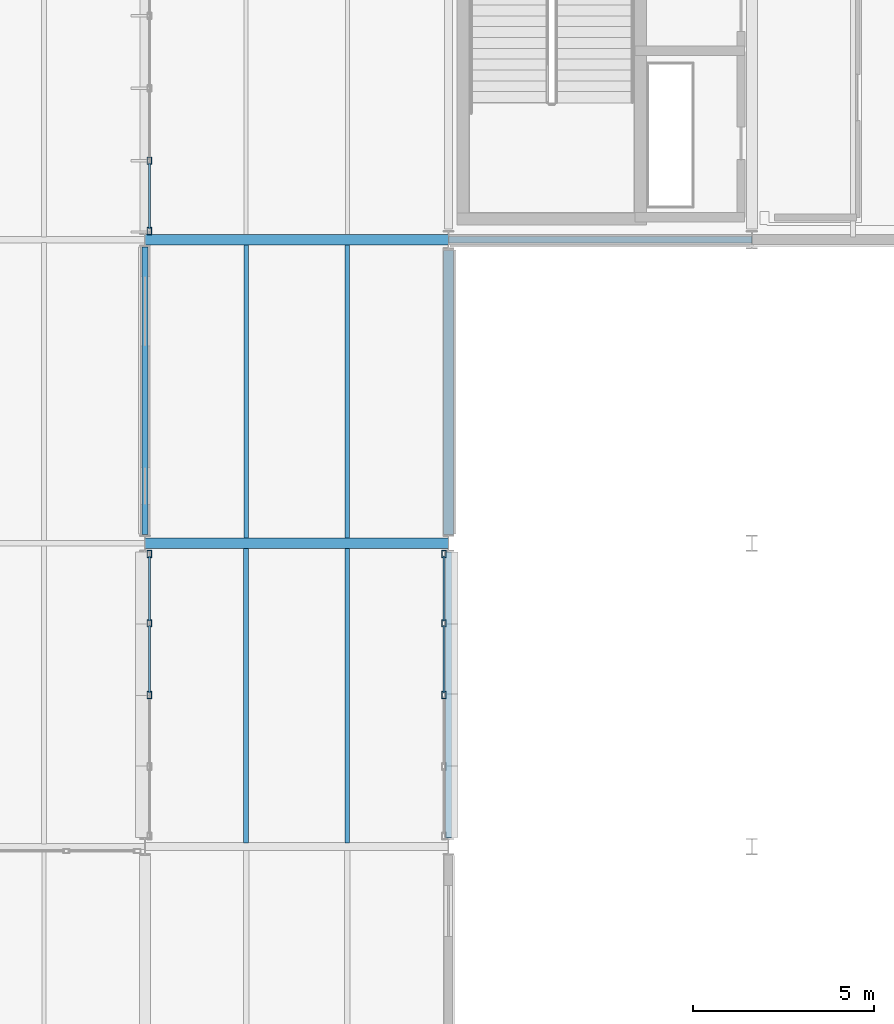
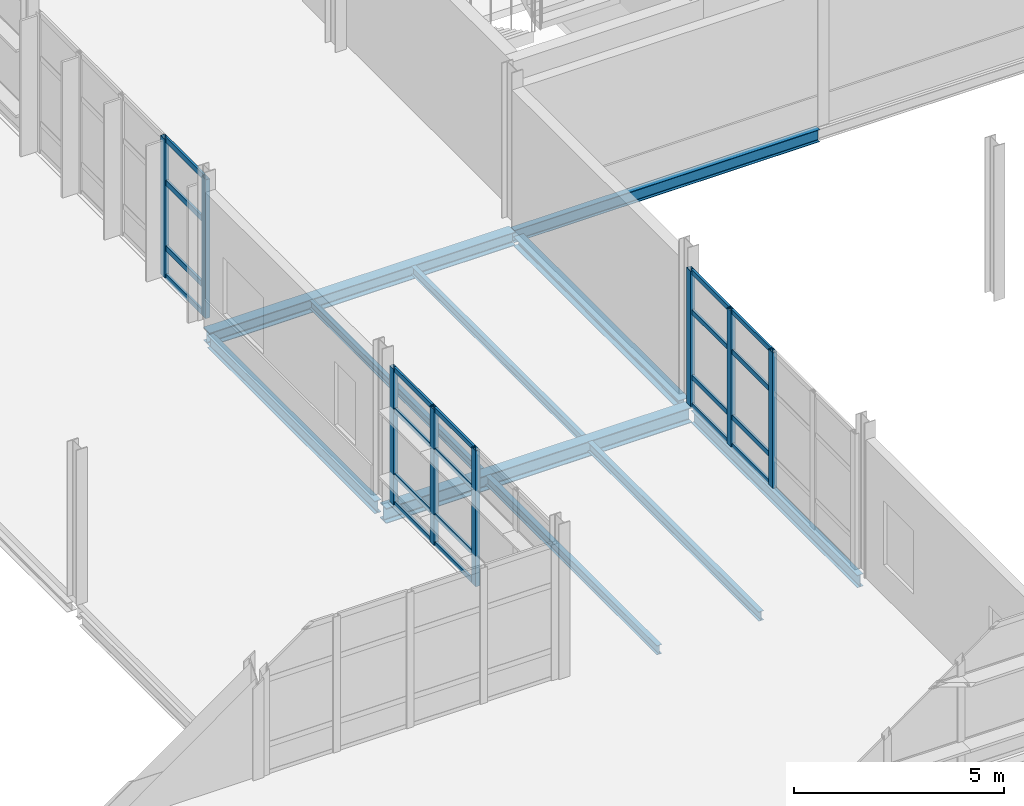
# One storey, part 40 of 129: 28 members, 10 beams, 3 elements without a shape of their own.
"""IFC4 building model written with IfcOpenShell, lengths in metres."""

from ifc_helpers import new_model, si_unit, direction, frame, origin, origin_2d, place, context, subcontext, project, spatial, hollow_rectangle, i_section, extrude, material, material_profile, profile_set, type_object, element, aggregate, save


model = new_model("IFC4")

# Units and contexts
model_context = context("Model", 3, precision=1e-05, world=origin(), true_north=direction((0.0, 1.0)))
body_context = subcontext(model_context, "Body", "Model", "MODEL_VIEW")
ifc_project = project(units=[si_unit("LENGTHUNIT", "METRE"), si_unit("AREAUNIT", "SQUARE_METRE"), si_unit("VOLUMEUNIT", "CUBIC_METRE"), si_unit("PLANEANGLEUNIT", "RADIAN"), si_unit("MASSUNIT", "GRAM", prefix="KILO")], contexts=[model_context])

# Site, building, storey
site_placement = place(None, origin())
site = spatial("IfcSite", under=ifc_project, at=site_placement, CompositionType="ELEMENT")
building_placement = place(site_placement, origin())
building = spatial("IfcBuilding", under=site, at=building_placement, Name="Mersafa Astral City Hall", CompositionType="ELEMENT")
storey_placement = place(building_placement, frame((0.0, 0.0, 5.39990234375)))
storey = spatial("IfcBuildingStorey", under=building, at=storey_placement, Name="L01", CompositionType="ELEMENT", Elevation=5.39990234375)

# Curtain wall, members
ifc_material_1 = material(Name="Anodised bronze aluminium framing", Category="aluminium")
curtain_wall_type_1 = type_object("IfcCurtainWallType", Name="ENV-CW-3", PredefinedType="USERDEFINED", material=ifc_material_1)
curtain_wall_1_placement = place(storey_placement, origin())
curtain_wall_1 = element("IfcCurtainWall", 1, at=curtain_wall_1_placement, inside=storey, type_object=curtain_wall_type_1, Name="L01 Unitised solar curtain wall 80", ObjectType="UNITISED CURTAIN WALL", PredefinedType="USERDEFINED")
ifc_material_profile_1 = material_profile(ifc_material_1, hollow_rectangle(XDim=0.1201171875, YDim=0.199951171875, WallThickness=0.008056640625, at=origin_2d()), Name="RHS 120x200x8")
ifc_profile_set_1 = profile_set([ifc_material_profile_1], Name="Anodised bronze aluminium framing")
member_type_1 = type_object("IfcMemberType", Name="ENV-CW-MUL-2", PredefinedType="MULLION", material=ifc_profile_set_1)
member_1_placement = place(storey_placement, frame((33.719970703125, 111.388427734375, -0.001953125), z_axis=(0.0, 0.0, 1.0), x_axis=(1.0, 0.0, 0.0)))
member_1 = element("IfcMember", 2, at=member_1_placement, type_object=member_type_1, Name="CW-3 mullion 4", PredefinedType="MULLION", context=body_context, shape_type="SweptSolid", body=[
    extrude(hollow_rectangle(XDim=0.1201171875, YDim=0.199951171875, WallThickness=0.008056640625, at=origin_2d()), origin(), (0.0, 0.0, 1.0), 4.029052734375),
])
member_2_placement = place(storey_placement, frame((33.719970703125, 109.44189453125, -0.001953125), z_axis=(0.0, 0.0, 1.0), x_axis=(1.0, 0.0, 0.0)))
member_2 = element("IfcMember", 3, at=member_2_placement, type_object=member_type_1, Name="CW-3 mullion 5", PredefinedType="MULLION", context=body_context, shape_type="SweptSolid", body=[
    extrude(hollow_rectangle(XDim=0.1201171875, YDim=0.199951171875, WallThickness=0.008056640625, at=origin_2d()), origin(), (0.0, 0.0, 1.0), 4.029052734375),
])

curtain_wall_type_2 = type_object("IfcCurtainWallType", Name="ENV-CW-4", PredefinedType="USERDEFINED", material=ifc_material_1)
curtain_wall_2_placement = place(storey_placement, origin())
curtain_wall_2 = element("IfcCurtainWall", 4, at=curtain_wall_2_placement, inside=storey, type_object=curtain_wall_type_2, Name="L01 Unitised solar curtain wall 81", ObjectType="UNITISED CURTAIN WALL", PredefinedType="USERDEFINED")
member_3_placement = place(storey_placement, frame((33.719970703125, 100.5029296875, -0.001953125), z_axis=(0.0, 0.0, 1.0), x_axis=(1.0, 0.0, 0.0)))
member_3 = element("IfcMember", 5, at=member_3_placement, type_object=member_type_1, Name="CW-4 mullion 1", PredefinedType="MULLION", context=body_context, shape_type="SweptSolid", body=[
    extrude(hollow_rectangle(XDim=0.1201171875, YDim=0.199951171875, WallThickness=0.008056640625, at=origin_2d()), origin(), (0.0, 0.0, 1.0), 3.948974609375),
])
member_4_placement = place(storey_placement, frame((33.719970703125, 98.58154296875, -0.001953125), z_axis=(0.0, 0.0, 1.0), x_axis=(1.0, 0.0, 0.0)))
member_4 = element("IfcMember", 6, at=member_4_placement, type_object=member_type_1, Name="CW-4 mullion 2", PredefinedType="MULLION", context=body_context, shape_type="SweptSolid", body=[
    extrude(hollow_rectangle(XDim=0.1201171875, YDim=0.199951171875, WallThickness=0.008056640625, at=origin_2d()), origin(), (0.0, 0.0, 1.0), 3.948974609375),
])
member_5_placement = place(storey_placement, frame((33.719970703125, 96.60009765625, -0.001953125), z_axis=(0.0, 0.0, 1.0), x_axis=(1.0, 0.0, 0.0)))
member_5 = element("IfcMember", 7, at=member_5_placement, type_object=member_type_1, Name="CW-4 mullion 3", PredefinedType="MULLION", context=body_context, shape_type="SweptSolid", body=[
    extrude(hollow_rectangle(XDim=0.1201171875, YDim=0.199951171875, WallThickness=0.008056640625, at=origin_2d()), origin(), (0.0, 0.0, 1.0), 3.948974609375),
])

curtain_wall_type_3 = type_object("IfcCurtainWallType", Name="ENV-CW-2", PredefinedType="USERDEFINED", material=ifc_material_1)
curtain_wall_3_placement = place(storey_placement, origin())
curtain_wall_3 = element("IfcCurtainWall", 8, at=curtain_wall_3_placement, inside=storey, type_object=curtain_wall_type_3, Name="L01 Unitised solar curtain wall 85", ObjectType="UNITISED CURTAIN WALL", PredefinedType="USERDEFINED")
member_6_placement = place(storey_placement, frame((41.8798828125, 96.60009765625, -0.001953125), z_axis=(0.0, 0.0, 1.0), x_axis=(-1.0, 0.0, 0.0)))
member_6 = element("IfcMember", 9, at=member_6_placement, type_object=member_type_1, Name="CW-2 mullion 3", PredefinedType="MULLION", context=body_context, shape_type="SweptSolid", body=[
    extrude(hollow_rectangle(XDim=0.1201171875, YDim=0.199951171875, WallThickness=0.008056640625, at=origin_2d()), origin(), (0.0, 0.0, 1.0), 3.93896484375),
])
member_7_placement = place(storey_placement, frame((41.8798828125, 98.58154296875, -0.001953125), z_axis=(0.0, 0.0, 1.0), x_axis=(-1.0, 0.0, 0.0)))
member_7 = element("IfcMember", 10, at=member_7_placement, type_object=member_type_1, Name="CW-2 mullion 4", PredefinedType="MULLION", context=body_context, shape_type="SweptSolid", body=[
    extrude(hollow_rectangle(XDim=0.1201171875, YDim=0.199951171875, WallThickness=0.008056640625, at=origin_2d()), origin(), (0.0, 0.0, 1.0), 3.93896484375),
])
member_8_placement = place(storey_placement, frame((41.8798828125, 100.5029296875, -0.001953125), z_axis=(0.0, 0.0, 1.0), x_axis=(-1.0, 0.0, 0.0)))
member_8 = element("IfcMember", 11, at=member_8_placement, type_object=member_type_1, Name="CW-2 mullion 5", PredefinedType="MULLION", context=body_context, shape_type="SweptSolid", body=[
    extrude(hollow_rectangle(XDim=0.1201171875, YDim=0.199951171875, WallThickness=0.008056640625, at=origin_2d()), origin(), (0.0, 0.0, 1.0), 3.93896484375),
])

# Member
ifc_material_profile_2 = material_profile(ifc_material_1, hollow_rectangle(XDim=0.06005859375, YDim=0.139892578125, WallThickness=0.00390625, at=origin_2d()), Name="RHS 60x140x4")
ifc_profile_set_2 = profile_set([ifc_material_profile_2], Name="Anodised bronze aluminium framing")
member_type_2 = type_object("IfcMemberType", Name="ENV-CW-TRN-1", PredefinedType="USERDEFINED", material=ifc_profile_set_2)
member_9_placement = place(storey_placement, frame((33.719970703125, 100.443115234375, 0.028076171875), z_axis=(0.0, -1.0, 0.0), x_axis=(1.0, 0.0, 0.0)))
member_9 = element("IfcMember", 12, at=member_9_placement, type_object=member_type_2, Name="CW-4 transom 1.1", ObjectType="TRANSOM", PredefinedType="USERDEFINED", context=body_context, shape_type="SweptSolid", body=[
    extrude(hollow_rectangle(XDim=0.06005859375, YDim=0.139892578125, WallThickness=0.00390625, at=origin_2d()), origin(), (0.0, 0.0, 1.0), 1.801513671875),
])

member_10_placement = place(storey_placement, frame((33.719970703125, 100.443115234375, 0.85009765625), z_axis=(0.0, -1.0, 0.0), x_axis=(1.0, 0.0, 0.0)))
member_10 = element("IfcMember", 13, at=member_10_placement, type_object=member_type_2, Name="CW-4 transom 1.2", ObjectType="TRANSOM", PredefinedType="USERDEFINED", context=body_context, shape_type="SweptSolid", body=[
    extrude(hollow_rectangle(XDim=0.06005859375, YDim=0.139892578125, WallThickness=0.00390625, at=origin_2d()), origin(), (0.0, 0.0, 1.0), 1.801513671875),
])

member_11_placement = place(storey_placement, frame((33.719970703125, 100.443115234375, 2.75), z_axis=(0.0, -1.0, 0.0), x_axis=(1.0, 0.0, 0.0)))
member_11 = element("IfcMember", 14, at=member_11_placement, type_object=member_type_2, Name="CW-4 transom 1.3", ObjectType="TRANSOM", PredefinedType="USERDEFINED", context=body_context, shape_type="SweptSolid", body=[
    extrude(hollow_rectangle(XDim=0.06005859375, YDim=0.139892578125, WallThickness=0.00390625, at=origin_2d()), origin(), (0.0, 0.0, 1.0), 1.801513671875),
])

member_12_placement = place(storey_placement, frame((33.719970703125, 100.443115234375, 3.9169921875), z_axis=(0.0, -1.0, 0.0), x_axis=(1.0, 0.0, 0.0)))
member_12 = element("IfcMember", 15, at=member_12_placement, type_object=member_type_2, Name="CW-4 transom 1.4", ObjectType="TRANSOM", PredefinedType="USERDEFINED", context=body_context, shape_type="SweptSolid", body=[
    extrude(hollow_rectangle(XDim=0.06005859375, YDim=0.139892578125, WallThickness=0.00390625, at=origin_2d()), origin(), (0.0, 0.0, 1.0), 1.801513671875),
])

member_13_placement = place(storey_placement, frame((33.719970703125, 98.521484375, 0.028076171875), z_axis=(0.0, -1.0, 0.0), x_axis=(1.0, 0.0, 0.0)))
member_13 = element("IfcMember", 16, at=member_13_placement, type_object=member_type_2, Name="CW-4 transom 2.1", ObjectType="TRANSOM", PredefinedType="USERDEFINED", context=body_context, shape_type="SweptSolid", body=[
    extrude(hollow_rectangle(XDim=0.06005859375, YDim=0.139892578125, WallThickness=0.00390625, at=origin_2d()), origin(), (0.0, 0.0, 1.0), 1.861572265625),
])

member_14_placement = place(storey_placement, frame((33.719970703125, 98.521484375, 0.85009765625), z_axis=(0.0, -1.0, 0.0), x_axis=(1.0, 0.0, 0.0)))
member_14 = element("IfcMember", 17, at=member_14_placement, type_object=member_type_2, Name="CW-4 transom 2.2", ObjectType="TRANSOM", PredefinedType="USERDEFINED", context=body_context, shape_type="SweptSolid", body=[
    extrude(hollow_rectangle(XDim=0.06005859375, YDim=0.139892578125, WallThickness=0.00390625, at=origin_2d()), origin(), (0.0, 0.0, 1.0), 1.861572265625),
])

member_15_placement = place(storey_placement, frame((33.719970703125, 98.521484375, 2.75), z_axis=(0.0, -1.0, 0.0), x_axis=(1.0, 0.0, 0.0)))
member_15 = element("IfcMember", 18, at=member_15_placement, type_object=member_type_2, Name="CW-4 transom 2.3", ObjectType="TRANSOM", PredefinedType="USERDEFINED", context=body_context, shape_type="SweptSolid", body=[
    extrude(hollow_rectangle(XDim=0.06005859375, YDim=0.139892578125, WallThickness=0.00390625, at=origin_2d()), origin(), (0.0, 0.0, 1.0), 1.861572265625),
])

member_16_placement = place(storey_placement, frame((33.719970703125, 98.521484375, 3.9169921875), z_axis=(0.0, -1.0, 0.0), x_axis=(1.0, 0.0, 0.0)))
member_16 = element("IfcMember", 19, at=member_16_placement, type_object=member_type_2, Name="CW-4 transom 2.4", ObjectType="TRANSOM", PredefinedType="USERDEFINED", context=body_context, shape_type="SweptSolid", body=[
    extrude(hollow_rectangle(XDim=0.06005859375, YDim=0.139892578125, WallThickness=0.00390625, at=origin_2d()), origin(), (0.0, 0.0, 1.0), 1.861572265625),
])

aggregate(curtain_wall_2, [member_3, member_4, member_5, member_9, member_10, member_11, member_12, member_13, member_14, member_15, member_16])

member_17_placement = place(storey_placement, frame((41.8798828125, 96.659912109375, 0.028076171875), z_axis=(0.0, 1.0, 0.0), x_axis=(-1.0, 0.0, 0.0)))
member_17 = element("IfcMember", 20, at=member_17_placement, type_object=member_type_2, Name="CW-2 transom 3.1", ObjectType="TRANSOM", PredefinedType="USERDEFINED", context=body_context, shape_type="SweptSolid", body=[
    extrude(hollow_rectangle(XDim=0.06005859375, YDim=0.139892578125, WallThickness=0.00390625, at=origin_2d()), origin(), (0.0, 0.0, 1.0), 1.861572265625),
])

member_18_placement = place(storey_placement, frame((41.8798828125, 96.659912109375, 0.85009765625), z_axis=(0.0, 1.0, 0.0), x_axis=(-1.0, 0.0, 0.0)))
member_18 = element("IfcMember", 21, at=member_18_placement, type_object=member_type_2, Name="CW-2 transom 3.2", ObjectType="TRANSOM", PredefinedType="USERDEFINED", context=body_context, shape_type="SweptSolid", body=[
    extrude(hollow_rectangle(XDim=0.06005859375, YDim=0.139892578125, WallThickness=0.00390625, at=origin_2d()), origin(), (0.0, 0.0, 1.0), 1.861572265625),
])

member_19_placement = place(storey_placement, frame((41.8798828125, 96.659912109375, 2.75), z_axis=(0.0, 1.0, 0.0), x_axis=(-1.0, 0.0, 0.0)))
member_19 = element("IfcMember", 22, at=member_19_placement, type_object=member_type_2, Name="CW-2 transom 3.3", ObjectType="TRANSOM", PredefinedType="USERDEFINED", context=body_context, shape_type="SweptSolid", body=[
    extrude(hollow_rectangle(XDim=0.06005859375, YDim=0.139892578125, WallThickness=0.00390625, at=origin_2d()), origin(), (0.0, 0.0, 1.0), 1.861572265625),
])

member_20_placement = place(storey_placement, frame((41.8798828125, 96.659912109375, 3.906982421875), z_axis=(0.0, 1.0, 0.0), x_axis=(-1.0, 0.0, 0.0)))
member_20 = element("IfcMember", 23, at=member_20_placement, type_object=member_type_2, Name="CW-2 transom 3.4", ObjectType="TRANSOM", PredefinedType="USERDEFINED", context=body_context, shape_type="SweptSolid", body=[
    extrude(hollow_rectangle(XDim=0.06005859375, YDim=0.139892578125, WallThickness=0.00390625, at=origin_2d()), origin(), (0.0, 0.0, 1.0), 1.861572265625),
])

member_21_placement = place(storey_placement, frame((41.8798828125, 98.6416015625, 0.028076171875), z_axis=(0.0, 1.0, 0.0), x_axis=(-1.0, 0.0, 0.0)))
member_21 = element("IfcMember", 24, at=member_21_placement, type_object=member_type_2, Name="CW-2 transom 4.1", ObjectType="TRANSOM", PredefinedType="USERDEFINED", context=body_context, shape_type="SweptSolid", body=[
    extrude(hollow_rectangle(XDim=0.06005859375, YDim=0.139892578125, WallThickness=0.00390625, at=origin_2d()), origin(), (0.0, 0.0, 1.0), 1.801513671875),
])

member_22_placement = place(storey_placement, frame((41.8798828125, 98.6416015625, 0.85009765625), z_axis=(0.0, 1.0, 0.0), x_axis=(-1.0, 0.0, 0.0)))
member_22 = element("IfcMember", 25, at=member_22_placement, type_object=member_type_2, Name="CW-2 transom 4.2", ObjectType="TRANSOM", PredefinedType="USERDEFINED", context=body_context, shape_type="SweptSolid", body=[
    extrude(hollow_rectangle(XDim=0.06005859375, YDim=0.139892578125, WallThickness=0.00390625, at=origin_2d()), origin(), (0.0, 0.0, 1.0), 1.801513671875),
])

member_23_placement = place(storey_placement, frame((41.8798828125, 98.6416015625, 2.75), z_axis=(0.0, 1.0, 0.0), x_axis=(-1.0, 0.0, 0.0)))
member_23 = element("IfcMember", 26, at=member_23_placement, type_object=member_type_2, Name="CW-2 transom 4.3", ObjectType="TRANSOM", PredefinedType="USERDEFINED", context=body_context, shape_type="SweptSolid", body=[
    extrude(hollow_rectangle(XDim=0.06005859375, YDim=0.139892578125, WallThickness=0.00390625, at=origin_2d()), origin(), (0.0, 0.0, 1.0), 1.801513671875),
])

member_24_placement = place(storey_placement, frame((41.8798828125, 98.6416015625, 3.906982421875), z_axis=(0.0, 1.0, 0.0), x_axis=(-1.0, 0.0, 0.0)))
member_24 = element("IfcMember", 27, at=member_24_placement, type_object=member_type_2, Name="CW-2 transom 4.4", ObjectType="TRANSOM", PredefinedType="USERDEFINED", context=body_context, shape_type="SweptSolid", body=[
    extrude(hollow_rectangle(XDim=0.06005859375, YDim=0.139892578125, WallThickness=0.00390625, at=origin_2d()), origin(), (0.0, 0.0, 1.0), 1.801513671875),
])

aggregate(curtain_wall_3, [member_6, member_7, member_8, member_17, member_18, member_19, member_20, member_21, member_22, member_23, member_24])

ifc_material_profile_3 = material_profile(ifc_material_1, hollow_rectangle(XDim=0.06005859375, YDim=0.159912109375, WallThickness=0.00390625, at=origin_2d()), Name="RHS 60x160x4")
ifc_profile_set_3 = profile_set([ifc_material_profile_3], Name="Anodised bronze aluminium framing")
member_type_3 = type_object("IfcMemberType", Name="ENV-CW-TRN-2", PredefinedType="USERDEFINED", material=ifc_profile_set_3)
member_25_placement = place(storey_placement, frame((33.719970703125, 111.32861328125, 0.028076171875), z_axis=(0.0, -1.0, 0.0), x_axis=(1.0, 0.0, 0.0)))
member_25 = element("IfcMember", 28, at=member_25_placement, type_object=member_type_3, Name="CW-3 transom 4.1", ObjectType="TRANSOM", PredefinedType="USERDEFINED", context=body_context, shape_type="SweptSolid", body=[
    extrude(hollow_rectangle(XDim=0.06005859375, YDim=0.159912109375, WallThickness=0.00390625, at=origin_2d()), origin(), (0.0, 0.0, 1.0), 1.82666015625),
])

member_26_placement = place(storey_placement, frame((33.719970703125, 111.32861328125, 0.85009765625), z_axis=(0.0, -1.0, 0.0), x_axis=(1.0, 0.0, 0.0)))
member_26 = element("IfcMember", 29, at=member_26_placement, type_object=member_type_3, Name="CW-3 transom 4.2", ObjectType="TRANSOM", PredefinedType="USERDEFINED", context=body_context, shape_type="SweptSolid", body=[
    extrude(hollow_rectangle(XDim=0.06005859375, YDim=0.159912109375, WallThickness=0.00390625, at=origin_2d()), origin(), (0.0, 0.0, 1.0), 1.82666015625),
])

member_27_placement = place(storey_placement, frame((33.719970703125, 111.32861328125, 2.75), z_axis=(0.0, -1.0, 0.0), x_axis=(1.0, 0.0, 0.0)))
member_27 = element("IfcMember", 30, at=member_27_placement, type_object=member_type_3, Name="CW-3 transom 4.3", ObjectType="TRANSOM", PredefinedType="USERDEFINED", context=body_context, shape_type="SweptSolid", body=[
    extrude(hollow_rectangle(XDim=0.06005859375, YDim=0.159912109375, WallThickness=0.00390625, at=origin_2d()), origin(), (0.0, 0.0, 1.0), 1.82666015625),
])

member_28_placement = place(storey_placement, frame((33.719970703125, 111.32861328125, 3.9970703125), z_axis=(0.0, -1.0, 0.0), x_axis=(1.0, 0.0, 0.0)))
member_28 = element("IfcMember", 31, at=member_28_placement, type_object=member_type_3, Name="CW-3 transom 4.4", ObjectType="TRANSOM", PredefinedType="USERDEFINED", context=body_context, shape_type="SweptSolid", body=[
    extrude(hollow_rectangle(XDim=0.06005859375, YDim=0.159912109375, WallThickness=0.00390625, at=origin_2d()), origin(), (0.0, 0.0, 1.0), 1.82666015625),
])

aggregate(curtain_wall_1, [member_1, member_2, member_25, member_26, member_27, member_28])

# Beams
ifc_material_2 = material(Name="Steel S355", Category="steel")
ifc_material_profile_4 = material_profile(ifc_material_2, i_section(OverallWidth=0.300048828125, OverallDepth=0.389892578125, WebThickness=0.010986328125, FlangeThickness=0.01904296875, FilletRadius=0.027099609375, at=origin_2d()), Name="HEA 400")
ifc_profile_set_4 = profile_set([ifc_material_profile_4], Name="Steel S355")
beam_type_1 = type_object("IfcBeamType", Name="STR-BM-HEA400", PredefinedType="BEAM", material=ifc_profile_set_4)
beam_1_placement = place(storey_placement, frame((33.60302734375, 109.199951171875, -0.419921875), z_axis=(1.0, 0.0, 0.0), x_axis=(0.0, 1.0, 0.0)))
element("IfcBeam", 32, at=beam_1_placement, inside=storey, type_object=beam_type_1, Name="L01 Primary girder X 4-13", PredefinedType="BEAM", context=body_context, shape_type="SweptSolid", body=[
    extrude(i_section(OverallWidth=0.300048828125, OverallDepth=0.389892578125, WebThickness=0.010986328125, FlangeThickness=0.01904296875, FilletRadius=0.027099609375, at=origin_2d()), origin(), (0.0, 0.0, 1.0), 8.39404296875),
])
ifc_material_profile_5 = material_profile(ifc_material_2, i_section(OverallWidth=0.300048828125, OverallDepth=0.43994140625, WebThickness=0.011474609375, FlangeThickness=0.02099609375, FilletRadius=0.027099609375, at=origin_2d()), Name="HEA 450")
ifc_profile_set_5 = profile_set([ifc_material_profile_5], Name="Steel S355")
beam_type_2 = type_object("IfcBeamType", Name="STR-BM-HEA450", PredefinedType="BEAM", material=ifc_profile_set_5)
beam_2_placement = place(storey_placement, frame((33.60302734375, 100.800048828125, -0.44482421875), z_axis=(1.0, 0.0, 0.0), x_axis=(0.0, 1.0, 0.0)))
element("IfcBeam", 33, at=beam_2_placement, inside=storey, type_object=beam_type_2, Name="L01 Primary girder X 4-12", PredefinedType="BEAM", context=body_context, shape_type="SweptSolid", body=[
    extrude(i_section(OverallWidth=0.300048828125, OverallDepth=0.43994140625, WebThickness=0.011474609375, FlangeThickness=0.02099609375, FilletRadius=0.027099609375, at=origin_2d()), origin(), (0.0, 0.0, 1.0), 8.39404296875),
])
ifc_material_profile_6 = material_profile(ifc_material_2, i_section(OverallWidth=0.1201171875, OverallDepth=0.239990234375, WebThickness=0.006103515625, FlangeThickness=0.009765625, FilletRadius=0.014892578125, at=origin_2d()), Name="IPE 240")
ifc_profile_set_6 = profile_set([ifc_material_profile_6], Name="Steel S355")
beam_type_3 = type_object("IfcBeamType", Name="STR-BM-JOIST-IPE240", PredefinedType="JOIST", material=ifc_profile_set_6)
for number, where, z_axis, x_axis, name in (
    (34, (36.39990234375, 100.945068359375, -0.344970703125), (0.0, 1.0, 0.0), (-1.0, 0.0, 0.0), "L01 Composite secondary floor joist 236"),
    (35, (39.199951171875, 100.945068359375, -0.344970703125), (0.0, 1.0, 0.0), (-1.0, 0.0, 0.0), "L01 Composite secondary floor joist 237"),
):
    element("IfcBeam", number, at=place(storey_placement, frame(where, z_axis=z_axis, x_axis=x_axis)), inside=storey, type_object=beam_type_3, Name=name, PredefinedType="JOIST", context=body_context, shape_type="SweptSolid", body=[
        extrude(i_section(OverallWidth=0.1201171875, OverallDepth=0.239990234375, WebThickness=0.006103515625, FlangeThickness=0.009765625, FilletRadius=0.014892578125, at=origin_2d()), origin(), (0.0, 0.0, 1.0), 8.10986328125),
    ])
ifc_material_profile_7 = material_profile(ifc_material_2, i_section(OverallWidth=0.135009765625, OverallDepth=0.27001953125, WebThickness=0.006591796875, FlangeThickness=0.01025390625, FilletRadius=0.014892578125, at=origin_2d()), Name="IPE 270")
ifc_profile_set_7 = profile_set([ifc_material_profile_7], Name="Steel S355")
beam_type_4 = type_object("IfcBeamType", Name="STR-BM-JOIST-IPE270", PredefinedType="JOIST", material=ifc_profile_set_7)
for number, where, z_axis, x_axis, name in (
    (36, (36.39990234375, 92.5048828125, -0.35986328125), (0.0, 1.0, 0.0), (-1.0, 0.0, 0.0), "L01 Composite secondary floor joist 234"),
    (37, (39.199951171875, 92.5048828125, -0.35986328125), (0.0, 1.0, 0.0), (-1.0, 0.0, 0.0), "L01 Composite secondary floor joist 235"),
):
    element("IfcBeam", number, at=place(storey_placement, frame(where, z_axis=z_axis, x_axis=x_axis)), inside=storey, type_object=beam_type_4, Name=name, PredefinedType="JOIST", context=body_context, shape_type="SweptSolid", body=[
        extrude(i_section(OverallWidth=0.135009765625, OverallDepth=0.27001953125, WebThickness=0.006591796875, FlangeThickness=0.01025390625, FilletRadius=0.014892578125, at=origin_2d()), origin(), (0.0, 0.0, 1.0), 8.150146484375),
    ])
ifc_material_profile_8 = material_profile(ifc_material_2, i_section(OverallWidth=0.280029296875, OverallDepth=0.27001953125, WebThickness=0.008056640625, FlangeThickness=0.012939453125, FilletRadius=0.02392578125, at=origin_2d()), Name="HEA 280")
ifc_profile_set_8 = profile_set([ifc_material_profile_8], Name="Steel S355")
beam_type_5 = type_object("IfcBeamType", Name="STR-BM-SPANDREL-HEA280", PredefinedType="SPANDREL", material=ifc_profile_set_8)
beam_3_placement = place(storey_placement, frame((42.0, 101.044921875, -0.35986328125), z_axis=(0.0, 1.0, 0.0), x_axis=(-1.0, 0.0, 0.0)))
element("IfcBeam", 38, at=beam_3_placement, inside=storey, type_object=beam_type_5, Name="L01 Primary girder Y 5-12", PredefinedType="SPANDREL", context=body_context, shape_type="SweptSolid", body=[
    extrude(i_section(OverallWidth=0.280029296875, OverallDepth=0.27001953125, WebThickness=0.008056640625, FlangeThickness=0.012939453125, FilletRadius=0.02392578125, at=origin_2d()), origin(), (0.0, 0.0, 1.0), 7.860107421875),
])
ifc_material_profile_9 = material_profile(ifc_material_2, i_section(OverallWidth=0.169921875, OverallDepth=0.360107421875, WebThickness=0.008056640625, FlangeThickness=0.0126953125, FilletRadius=0.01806640625, at=origin_2d()), Name="IPE 360")
ifc_profile_set_9 = profile_set([ifc_material_profile_9], Name="Steel S355")
beam_type_6 = type_object("IfcBeamType", Name="STR-BM-SPANDREL-IPE360", PredefinedType="SPANDREL", material=ifc_profile_set_9)
beam_4_placement = place(storey_placement, frame((42.0029296875, 109.199951171875, -0.40478515625), z_axis=(1.0, 0.0, 0.0), x_axis=(0.0, 1.0, 0.0)))
element("IfcBeam", 39, at=beam_4_placement, inside=storey, type_object=beam_type_6, Name="L01 Primary girder X 5-13", PredefinedType="SPANDREL", context=body_context, shape_type="SweptSolid", body=[
    extrude(i_section(OverallWidth=0.169921875, OverallDepth=0.360107421875, WebThickness=0.008056640625, FlangeThickness=0.0126953125, FilletRadius=0.01806640625, at=origin_2d()), origin(), (0.0, 0.0, 1.0), 8.39404296875),
])
beam_5_placement = place(storey_placement, frame((33.60009765625, 101.044921875, -0.40478515625), z_axis=(0.0, 1.0, 0.0), x_axis=(-1.0, 0.0, 0.0)))
element("IfcBeam", 40, at=beam_5_placement, inside=storey, type_object=beam_type_6, Name="L01 Primary girder Y 4-12", PredefinedType="SPANDREL", context=body_context, shape_type="SweptSolid", body=[
    extrude(i_section(OverallWidth=0.169921875, OverallDepth=0.360107421875, WebThickness=0.008056640625, FlangeThickness=0.0126953125, FilletRadius=0.01806640625, at=origin_2d()), origin(), (0.0, 0.0, 1.0), 7.9599609375),
])
beam_6_placement = place(storey_placement, frame((42.0, 92.64501953125, -0.40478515625), z_axis=(0.0, 1.0, 0.0), x_axis=(-1.0, 0.0, 0.0)))
element("IfcBeam", 41, at=beam_6_placement, inside=storey, type_object=beam_type_6, Name="L01 Primary girder Y 5-11", PredefinedType="SPANDREL", context=body_context, shape_type="SweptSolid", body=[
    extrude(i_section(OverallWidth=0.169921875, OverallDepth=0.360107421875, WebThickness=0.008056640625, FlangeThickness=0.0126953125, FilletRadius=0.01806640625, at=origin_2d()), origin(), (0.0, 0.0, 1.0), 7.909912109375),
])

save(model, "model.ifc")
